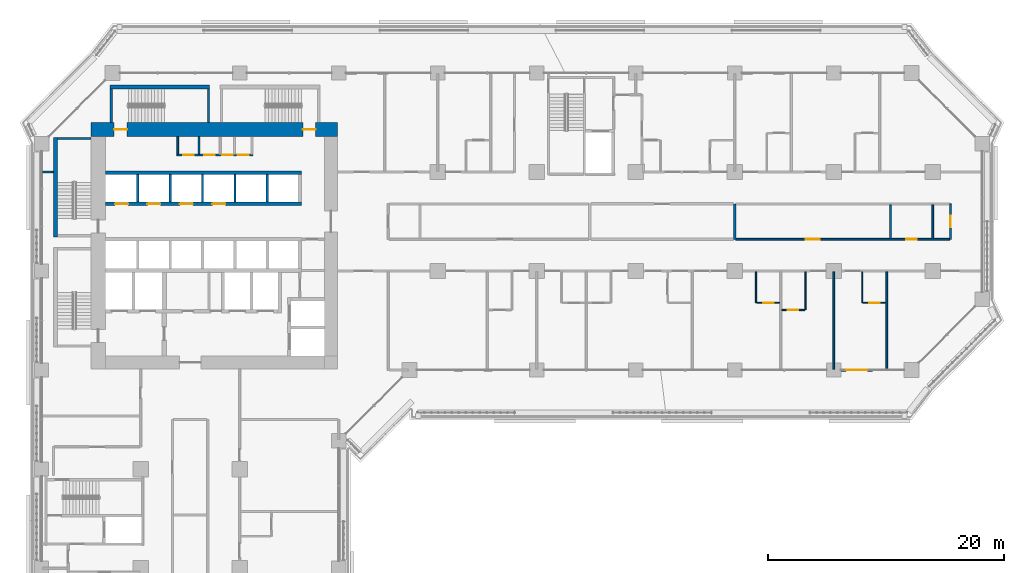
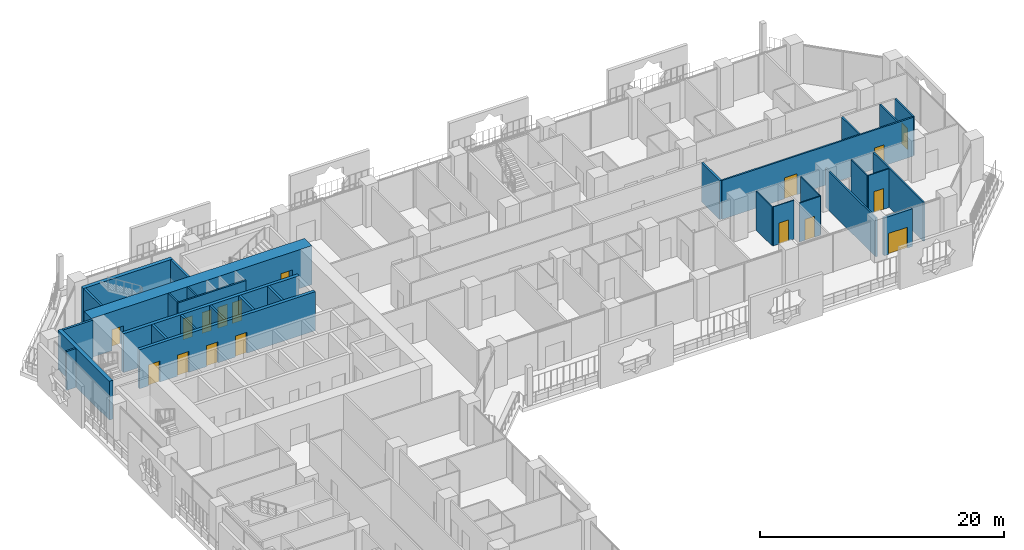
# One storey, part 17 of 28: 31 walls, 17 doors, 17 openings.
"""IFC4 building model written with IfcOpenShell, lengths in metres."""

from ifc_helpers import new_model, si_unit, direction, frame, frame_2d, origin, place, context, subcontext, project, spatial, rectangle, extrude, material, layer, layer_set, type_object, element, fill, save


model = new_model("IFC4")

# Units and contexts
model_context = context("Model", 3, precision=1e-05, world=origin(), true_north=direction((0.0, 1.0)))
body_context = subcontext(model_context, "Body", "Model", "MODEL_VIEW")
ifc_project = project(units=[si_unit("LENGTHUNIT", "METRE"), si_unit("AREAUNIT", "SQUARE_METRE"), si_unit("VOLUMEUNIT", "CUBIC_METRE"), si_unit("PLANEANGLEUNIT", "RADIAN"), si_unit("MASSUNIT", "GRAM", prefix="KILO")], contexts=[model_context])

# Site, building, storey
site_placement = place(None, origin())
site = spatial("IfcSite", under=ifc_project, at=site_placement, CompositionType="ELEMENT")
building_placement = place(site_placement, origin())
building = spatial("IfcBuilding", under=site, at=building_placement, Name="Kawkab Arch Medical Tower", CompositionType="ELEMENT")
storey_placement = place(building_placement, frame((0.0, 0.0, 72.800048828125)))
storey = spatial("IfcBuildingStorey", under=building, at=storey_placement, Name="L16", CompositionType="ELEMENT", Elevation=72.800048828125)

# Wall, openings, doors
ifc_material_1 = material(Name="Concrete C60/75", Category="concrete")
ifc_layer_1 = layer(ifc_material_1, 1.199951171875)
ifc_layer_set_1 = layer_set([ifc_layer_1], Name="Concrete C60/75")
wall_type_1 = type_object("IfcWallType", Name="Core ring wall 1200 C60/75", PredefinedType="SHEAR", material=ifc_layer_set_1)
wall_1_placement = place(storey_placement, frame((4.199951171875, -4.800048828125, 0.0), z_axis=(0.0, 0.0, 1.0), x_axis=(1.0, 0.0, 0.0)))
wall_1 = element("IfcWall", 1, at=wall_1_placement, inside=storey, type_object=wall_type_1, Name="L16 core wall", PredefinedType="SHEAR", context=body_context, shape_type="SweptSolid", body=[
    extrude(rectangle(XDim=20.900146484375, YDim=1.199951171875, at=frame_2d((10.4501953125, 0.0))), origin(), (0.0, 0.0, 1.0), 3.89990234375),
])
opening_1_placement = place(wall_1_placement, frame((1.949951171875, 0.0, 0.0)))
opening_1 = element("IfcOpeningElement", 2, at=opening_1_placement, cuts=wall_1, Name="Opening SD", PredefinedType="OPENING", context=body_context, shape_type="SweptSolid", body=[
    extrude(rectangle(XDim=1.10009765625, YDim=2.10009765625, at=frame_2d((0.550048828125, 1.050048828125))), frame((0.0, 0.60986328125, 0.0), z_axis=(0.0, -1.0, 0.0), x_axis=(1.0, 0.0, 0.0)), (0.0, 0.0, 1.0), 1.219970703125),
])
opening_2_placement = place(wall_1_placement, frame((17.949951171875, 0.0, 0.0)))
opening_2 = element("IfcOpeningElement", 3, at=opening_2_placement, cuts=wall_1, Name="Opening SD", PredefinedType="OPENING", context=body_context, shape_type="SweptSolid", body=[
    extrude(rectangle(XDim=1.10009765625, YDim=2.10009765625, at=frame_2d((0.550048828125, 1.050048828125))), frame((0.0, 0.60986328125, 0.0), z_axis=(0.0, -1.0, 0.0), x_axis=(1.0, 0.0, 0.0)), (0.0, 0.0, 1.0), 1.219970703125),
])
ifc_material_2 = material(Name="Hollow metal fire door leaf")
door_type_1 = type_object("IfcDoorType", Name="Exit stair door 1100", OperationType="SINGLE_SWING_LEFT", PredefinedType="DOOR", material=ifc_material_2)
door_1_placement = place(opening_1_placement, origin())
door_1 = element("IfcDoor", 4, at=door_1_placement, inside=storey, type_object=door_type_1, Name="L16 Exit stair ST3 door", OperationType="SINGLE_SWING_LEFT", OverallHeight=2.10009765625, OverallWidth=1.10009765625, PredefinedType="DOOR", context=body_context, shape_type="SweptSolid", body=[
    extrude(rectangle(XDim=1.10009765625, YDim=2.10009765625, at=frame_2d((0.550048828125, 1.050048828125))), frame((0.0, 0.02490234375, 0.0), z_axis=(0.0, -1.0, 0.0), x_axis=(1.0, 0.0, 0.0)), (0.0, 0.0, 1.0), 0.050048828125),
])
fill(opening_1, door_1)
door_2_placement = place(opening_2_placement, origin())
door_2 = element("IfcDoor", 5, at=door_2_placement, inside=storey, type_object=door_type_1, Name="L16 Exit stair ST4 door", OperationType="SINGLE_SWING_LEFT", OverallHeight=2.10009765625, OverallWidth=1.10009765625, PredefinedType="DOOR", context=body_context, shape_type="SweptSolid", body=[
    extrude(rectangle(XDim=1.10009765625, YDim=2.10009765625, at=frame_2d((0.550048828125, 1.050048828125))), frame((0.0, 0.02490234375, 0.0), z_axis=(0.0, -1.0, 0.0), x_axis=(1.0, 0.0, 0.0)), (0.0, 0.0, 1.0), 0.050048828125),
])
fill(opening_2, door_2)

ifc_material_3 = material(Name="Gypsum board on steel studs", Category="steel")
ifc_layer_2 = layer(ifc_material_3, 0.14990234375)
ifc_layer_set_2 = layer_set([ifc_layer_2], Name="Gypsum board on steel studs")
wall_type_2 = type_object("IfcWallType", Name="Core room partition 150", PredefinedType="PARTITIONING", material=ifc_layer_set_2)
wall_2_placement = place(storey_placement, frame((11.47509765625, -6.949951171875, 0.0), z_axis=(0.0, 0.0, 1.0), x_axis=(1.0, 0.0, 0.0)))
wall_2 = element("IfcWall", 6, at=wall_2_placement, inside=storey, type_object=wall_type_2, Name="L16 core room partition", PredefinedType="PARTITIONING", context=body_context, shape_type="SweptSolid", body=[
    extrude(rectangle(XDim=6.449951171875, YDim=0.14990234375, at=frame_2d((3.22509765625, 0.0))), origin(), (0.0, 0.0, 1.0), 3.89990234375),
])
opening_3_placement = place(wall_2_placement, frame((0.52490234375, 0.0, 0.0)))
opening_3 = element("IfcOpeningElement", 7, at=opening_3_placement, cuts=wall_2, Name="Opening RD", PredefinedType="OPENING", context=body_context, shape_type="SweptSolid", body=[
    extrude(rectangle(XDim=0.89990234375, YDim=2.10009765625, at=frame_2d((0.449951171875, 1.050048828125))), frame((0.0, 0.0849609375, 0.0), z_axis=(0.0, -1.0, 0.0), x_axis=(1.0, 0.0, 0.0)), (0.0, 0.0, 1.0), 0.169921875),
])
opening_4_placement = place(wall_2_placement, frame((2.324951171875, 0.0, 0.0)))
opening_4 = element("IfcOpeningElement", 8, at=opening_4_placement, cuts=wall_2, Name="Opening RD", PredefinedType="OPENING", context=body_context, shape_type="SweptSolid", body=[
    extrude(rectangle(XDim=0.89990234375, YDim=2.10009765625, at=frame_2d((0.449951171875, 1.050048828125))), frame((0.0, 0.0849609375, 0.0), z_axis=(0.0, -1.0, 0.0), x_axis=(1.0, 0.0, 0.0)), (0.0, 0.0, 1.0), 0.169921875),
])
opening_5_placement = place(wall_2_placement, frame((3.824951171875, 0.0, 0.0)))
opening_5 = element("IfcOpeningElement", 9, at=opening_5_placement, cuts=wall_2, Name="Opening RD", PredefinedType="OPENING", context=body_context, shape_type="SweptSolid", body=[
    extrude(rectangle(XDim=0.89990234375, YDim=2.10009765625, at=frame_2d((0.449951171875, 1.050048828125))), frame((0.0, 0.0849609375, 0.0), z_axis=(0.0, -1.0, 0.0), x_axis=(1.0, 0.0, 0.0)), (0.0, 0.0, 1.0), 0.169921875),
])
opening_6_placement = place(wall_2_placement, frame((5.175048828125, 0.0, 0.0)))
opening_6 = element("IfcOpeningElement", 10, at=opening_6_placement, cuts=wall_2, Name="Opening RD", PredefinedType="OPENING", context=body_context, shape_type="SweptSolid", body=[
    extrude(rectangle(XDim=0.89990234375, YDim=2.10009765625, at=frame_2d((0.449951171875, 1.050048828125))), frame((0.0, 0.0849609375, 0.0), z_axis=(0.0, -1.0, 0.0), x_axis=(1.0, 0.0, 0.0)), (0.0, 0.0, 1.0), 0.169921875),
])
ifc_material_4 = material(Name="Hollow metal fire door leaf")
door_type_2 = type_object("IfcDoorType", Name="Core room door 900", OperationType="SINGLE_SWING_LEFT", PredefinedType="DOOR", material=ifc_material_4)
door_3_placement = place(opening_3_placement, origin())
door_3 = element("IfcDoor", 11, at=door_3_placement, inside=storey, type_object=door_type_2, Name="L16 Linen store door", OperationType="SINGLE_SWING_LEFT", OverallHeight=2.10009765625, OverallWidth=0.89990234375, PredefinedType="DOOR", context=body_context, shape_type="SweptSolid", body=[
    extrude(rectangle(XDim=0.89990234375, YDim=2.10009765625, at=frame_2d((0.449951171875, 1.050048828125))), frame((0.0, 0.02490234375, 0.0), z_axis=(0.0, -1.0, 0.0), x_axis=(1.0, 0.0, 0.0)), (0.0, 0.0, 1.0), 0.050048828125),
])
fill(opening_3, door_3)
door_4_placement = place(opening_4_placement, origin())
door_4 = element("IfcDoor", 12, at=door_4_placement, inside=storey, type_object=door_type_2, Name="L16 Comms room door", OperationType="SINGLE_SWING_LEFT", OverallHeight=2.10009765625, OverallWidth=0.89990234375, PredefinedType="DOOR", context=body_context, shape_type="SweptSolid", body=[
    extrude(rectangle(XDim=0.89990234375, YDim=2.10009765625, at=frame_2d((0.449951171875, 1.050048828125))), frame((0.0, 0.02490234375, 0.0), z_axis=(0.0, -1.0, 0.0), x_axis=(1.0, 0.0, 0.0)), (0.0, 0.0, 1.0), 0.050048828125),
])
fill(opening_4, door_4)
door_5_placement = place(opening_5_placement, origin())
door_5 = element("IfcDoor", 13, at=door_5_placement, inside=storey, type_object=door_type_2, Name="L16 Electrical riser room door", OperationType="SINGLE_SWING_LEFT", OverallHeight=2.10009765625, OverallWidth=0.89990234375, PredefinedType="DOOR", context=body_context, shape_type="SweptSolid", body=[
    extrude(rectangle(XDim=0.89990234375, YDim=2.10009765625, at=frame_2d((0.449951171875, 1.050048828125))), frame((0.0, 0.02490234375, 0.0), z_axis=(0.0, -1.0, 0.0), x_axis=(1.0, 0.0, 0.0)), (0.0, 0.0, 1.0), 0.050048828125),
])
fill(opening_5, door_5)
door_6_placement = place(opening_6_placement, origin())
door_6 = element("IfcDoor", 14, at=door_6_placement, inside=storey, type_object=door_type_2, Name="L16 Ward pantry door", OperationType="SINGLE_SWING_LEFT", OverallHeight=2.10009765625, OverallWidth=0.89990234375, PredefinedType="DOOR", context=body_context, shape_type="SweptSolid", body=[
    extrude(rectangle(XDim=0.89990234375, YDim=2.10009765625, at=frame_2d((0.449951171875, 1.050048828125))), frame((0.0, 0.02490234375, 0.0), z_axis=(0.0, -1.0, 0.0), x_axis=(1.0, 0.0, 0.0)), (0.0, 0.0, 1.0), 0.050048828125),
])
fill(opening_6, door_6)

# Walls
for number, where, z_axis, x_axis, name in (
    (15, (11.550048828125, -6.875, 0.0), (0.0, 0.0, 1.0), (0.0, 1.0, 0.0), "L16 core room partition"),
    (16, (13.35009765625, -6.875, 0.0), (0.0, 0.0, 1.0), (0.0, 1.0, 0.0), "L16 core room partition"),
):
    element("IfcWall", number, at=place(storey_placement, frame(where, z_axis=z_axis, x_axis=x_axis)), inside=storey, type_object=wall_type_2, Name=name, PredefinedType="PARTITIONING", context=body_context, shape_type="SweptSolid", body=[
        extrude(rectangle(XDim=1.47509765625, YDim=0.14990234375, at=frame_2d((0.737548828125, 0.0))), origin(), (0.0, 0.0, 1.0), 3.89990234375),
    ])
ifc_material_5 = material(Name="Concrete C60/75", Category="concrete")
ifc_layer_3 = layer(ifc_material_5, 0.300048828125)
ifc_layer_set_3 = layer_set([ifc_layer_3], Name="Concrete C60/75")
wall_type_3 = type_object("IfcWallType", Name="Core shear wall 300 C60/75", PredefinedType="SHEAR", material=ifc_layer_set_3)
wall_3_placement = place(storey_placement, frame((5.39990234375, -8.449951171875, 0.0), z_axis=(0.0, 0.0, 1.0), x_axis=(1.0, 0.0, 0.0)))
element("IfcWall", 17, at=wall_3_placement, inside=storey, type_object=wall_type_3, Name="L16 core shear wall", PredefinedType="SHEAR", context=body_context, shape_type="SweptSolid", body=[
    extrude(rectangle(XDim=16.650146484375, YDim=0.300048828125, at=frame_2d((8.3251953125, 0.0))), origin(), (0.0, 0.0, 1.0), 3.89990234375),
])

# Wall, openings, doors
wall_4_placement = place(storey_placement, frame((5.39990234375, -11.10009765625, 0.0), z_axis=(0.0, 0.0, 1.0), x_axis=(1.0, 0.0, 0.0)))
wall_4 = element("IfcWall", 18, at=wall_4_placement, inside=storey, type_object=wall_type_3, Name="L16 core shear wall", PredefinedType="SHEAR", context=body_context, shape_type="SweptSolid", body=[
    extrude(rectangle(XDim=16.650146484375, YDim=0.300048828125, at=frame_2d((8.3251953125, 0.0))), origin(), (0.0, 0.0, 1.0), 3.89990234375),
])
opening_7_placement = place(wall_4_placement, frame((0.824951171875, 0.0, 0.0)))
opening_7 = element("IfcOpeningElement", 19, at=opening_7_placement, cuts=wall_4, Name="Opening LD1", PredefinedType="OPENING", context=body_context, shape_type="SweptSolid", body=[
    extrude(rectangle(XDim=1.10009765625, YDim=2.10009765625, at=frame_2d((0.550048828125, 1.050048828125))), frame((0.0, 0.159912109375, 0.0), z_axis=(0.0, -1.0, 0.0), x_axis=(1.0, 0.0, 0.0)), (0.0, 0.0, 1.0), 0.320068359375),
])
opening_8_placement = place(wall_4_placement, frame((3.574951171875, 0.0, 0.0)))
opening_8 = element("IfcOpeningElement", 20, at=opening_8_placement, cuts=wall_4, Name="Opening LD1", PredefinedType="OPENING", context=body_context, shape_type="SweptSolid", body=[
    extrude(rectangle(XDim=1.10009765625, YDim=2.10009765625, at=frame_2d((0.550048828125, 1.050048828125))), frame((0.0, 0.159912109375, 0.0), z_axis=(0.0, -1.0, 0.0), x_axis=(1.0, 0.0, 0.0)), (0.0, 0.0, 1.0), 0.320068359375),
])
opening_9_placement = place(wall_4_placement, frame((6.324951171875, 0.0, 0.0)))
opening_9 = element("IfcOpeningElement", 21, at=opening_9_placement, cuts=wall_4, Name="Opening LD1", PredefinedType="OPENING", context=body_context, shape_type="SweptSolid", body=[
    extrude(rectangle(XDim=1.10009765625, YDim=2.10009765625, at=frame_2d((0.550048828125, 1.050048828125))), frame((0.0, 0.159912109375, 0.0), z_axis=(0.0, -1.0, 0.0), x_axis=(1.0, 0.0, 0.0)), (0.0, 0.0, 1.0), 0.320068359375),
])
opening_10_placement = place(wall_4_placement, frame((9.074951171875, 0.0, 0.0)))
opening_10 = element("IfcOpeningElement", 22, at=opening_10_placement, cuts=wall_4, Name="Opening LD1", PredefinedType="OPENING", context=body_context, shape_type="SweptSolid", body=[
    extrude(rectangle(XDim=1.10009765625, YDim=2.10009765625, at=frame_2d((0.550048828125, 1.050048828125))), frame((0.0, 0.159912109375, 0.0), z_axis=(0.0, -1.0, 0.0), x_axis=(1.0, 0.0, 0.0)), (0.0, 0.0, 1.0), 0.320068359375),
])
ifc_material_6 = material(Name="Stainless steel lift door leaf", Category="steel")
door_type_3 = type_object("IfcDoorType", Name="Lift landing door 1100", OperationType="DOUBLE_DOOR_SLIDING", PredefinedType="DOOR", material=ifc_material_6)
door_7_placement = place(opening_7_placement, origin())
door_7 = element("IfcDoor", 23, at=door_7_placement, inside=storey, type_object=door_type_3, Name="L16 Lift landing door LP1", OperationType="DOUBLE_DOOR_SLIDING", OverallHeight=2.10009765625, OverallWidth=1.10009765625, PredefinedType="DOOR", context=body_context, shape_type="SweptSolid", body=[
    extrude(rectangle(XDim=1.10009765625, YDim=2.10009765625, at=frame_2d((0.550048828125, 1.050048828125))), frame((0.0, 0.02490234375, 0.0), z_axis=(0.0, -1.0, 0.0), x_axis=(1.0, 0.0, 0.0)), (0.0, 0.0, 1.0), 0.050048828125),
])
fill(opening_7, door_7)
door_8_placement = place(opening_8_placement, origin())
door_8 = element("IfcDoor", 24, at=door_8_placement, inside=storey, type_object=door_type_3, Name="L16 Lift landing door LP2", OperationType="DOUBLE_DOOR_SLIDING", OverallHeight=2.10009765625, OverallWidth=1.10009765625, PredefinedType="DOOR", context=body_context, shape_type="SweptSolid", body=[
    extrude(rectangle(XDim=1.10009765625, YDim=2.10009765625, at=frame_2d((0.550048828125, 1.050048828125))), frame((0.0, 0.02490234375, 0.0), z_axis=(0.0, -1.0, 0.0), x_axis=(1.0, 0.0, 0.0)), (0.0, 0.0, 1.0), 0.050048828125),
])
fill(opening_8, door_8)
door_9_placement = place(opening_9_placement, origin())
door_9 = element("IfcDoor", 25, at=door_9_placement, inside=storey, type_object=door_type_3, Name="L16 Lift landing door LP3", OperationType="DOUBLE_DOOR_SLIDING", OverallHeight=2.10009765625, OverallWidth=1.10009765625, PredefinedType="DOOR", context=body_context, shape_type="SweptSolid", body=[
    extrude(rectangle(XDim=1.10009765625, YDim=2.10009765625, at=frame_2d((0.550048828125, 1.050048828125))), frame((0.0, 0.02490234375, 0.0), z_axis=(0.0, -1.0, 0.0), x_axis=(1.0, 0.0, 0.0)), (0.0, 0.0, 1.0), 0.050048828125),
])
fill(opening_9, door_9)
door_10_placement = place(opening_10_placement, origin())
door_10 = element("IfcDoor", 26, at=door_10_placement, inside=storey, type_object=door_type_3, Name="L16 Lift landing door LP4", OperationType="DOUBLE_DOOR_SLIDING", OverallHeight=2.10009765625, OverallWidth=1.10009765625, PredefinedType="DOOR", context=body_context, shape_type="SweptSolid", body=[
    extrude(rectangle(XDim=1.10009765625, YDim=2.10009765625, at=frame_2d((0.550048828125, 1.050048828125))), frame((0.0, 0.02490234375, 0.0), z_axis=(0.0, -1.0, 0.0), x_axis=(1.0, 0.0, 0.0)), (0.0, 0.0, 1.0), 0.050048828125),
])
fill(opening_10, door_10)

# Wall, opening, door
ifc_material_7 = material(Name="Bronze clad insulated wall panel")
ifc_layer_4 = layer(ifc_material_7, 0.25)
ifc_layer_set_4 = layer_set([ifc_layer_4], Name="Bronze clad insulated wall panel")
wall_type_4 = type_object("IfcWallType", Name="External wall bay 250", PredefinedType="SOLIDWALL", material=ifc_layer_set_4)
wall_5_placement = place(storey_placement, frame((67.800048828125, -25.199951171875, 0.0), z_axis=(0.0, 0.0, 1.0), x_axis=(1.0, 0.0, 0.0)))
wall_5 = element("IfcWall", 27, at=wall_5_placement, inside=storey, type_object=wall_type_4, Name="External wall bay L16.R07.5.1", PredefinedType="SOLIDWALL", context=body_context, shape_type="SweptSolid", body=[
    extrude(rectangle(XDim=2.6875, YDim=0.25, at=frame_2d((1.34375, 0.0))), origin(), (0.0, 0.0, 1.0), 3.780029296875),
])
opening_11_placement = place(wall_5_placement, frame((0.443603515625, 0.0, 0.0)))
opening_11 = element("IfcOpeningElement", 28, at=opening_11_placement, cuts=wall_5, Name="Opening W11-701", PredefinedType="OPENING", context=body_context, shape_type="SweptSolid", body=[
    extrude(rectangle(XDim=1.800048828125, YDim=2.10009765625, at=frame_2d((0.89990234375, 1.050048828125))), frame((0.0, 0.135009765625, 0.0), z_axis=(0.0, -1.0, 0.0), x_axis=(1.0, 0.0, 0.0)), (0.0, 0.0, 1.0), 0.27001953125),
])
ifc_material_8 = material(Name="Bronze anodised aluminium door with tinted glass", Category="aluminium")
door_type_4 = type_object("IfcDoorType", Name="Double external door 1800 x 2100", OperationType="DOUBLE_DOOR_SINGLE_SWING", PredefinedType="DOOR", material=ifc_material_8)
door_11_placement = place(opening_11_placement, origin())
door_11 = element("IfcDoor", 29, at=door_11_placement, inside=storey, type_object=door_type_4, Name="External door L16.R07.5.1", OperationType="DOUBLE_DOOR_SINGLE_SWING", OverallHeight=2.10009765625, OverallWidth=1.800048828125, PredefinedType="DOOR", context=body_context, shape_type="SweptSolid", body=[
    extrude(rectangle(XDim=1.800048828125, YDim=2.10009765625, at=frame_2d((0.89990234375, 1.050048828125))), frame((0.0, 0.02490234375, 0.0), z_axis=(0.0, -1.0, 0.0), x_axis=(1.0, 0.0, 0.0)), (0.0, 0.0, 1.0), 0.050048828125),
])
fill(opening_11, door_11)

# Walls
ifc_material_9 = material(Name="Dense concrete blockwork", Category="masonry")
ifc_layer_5 = layer(ifc_material_9, 0.199951171875)
ifc_layer_set_5 = layer_set([ifc_layer_5], Name="Dense concrete blockwork")
wall_type_5 = type_object("IfcWallType", Name="Lift shaft partition 200", PredefinedType="PARTITIONING", material=ifc_layer_set_5)
for number, where, z_axis, x_axis, name in (
    (30, (8.14990234375, -10.949951171875, 0.0), (0.0, 0.0, 1.0), (0.0, 1.0, 0.0), "L16 lift shaft partition"),
    (31, (10.89990234375, -10.949951171875, 0.0), (0.0, 0.0, 1.0), (0.0, 1.0, 0.0), "L16 lift shaft partition"),
    (32, (13.64990234375, -10.949951171875, 0.0), (0.0, 0.0, 1.0), (0.0, 1.0, 0.0), "L16 lift shaft partition"),
    (33, (16.39990234375, -10.949951171875, 0.0), (0.0, 0.0, 1.0), (0.0, 1.0, 0.0), "L16 lift shaft partition"),
    (34, (19.14990234375, -10.949951171875, 0.0), (0.0, 0.0, 1.0), (0.0, 1.0, 0.0), "L16 lift shaft partition"),
):
    element("IfcWall", number, at=place(storey_placement, frame(where, z_axis=z_axis, x_axis=x_axis)), inside=storey, type_object=wall_type_5, Name=name, PredefinedType="PARTITIONING", context=body_context, shape_type="SweptSolid", body=[
        extrude(rectangle(XDim=2.349853515625, YDim=0.199951171875, at=frame_2d((1.1748046875, 0.0))), origin(), (0.0, 0.0, 1.0), 3.89990234375),
    ])

# Wall, opening, door
ifc_material_10 = material(Name="Gypsum board partition on steel studs", Category="steel")
ifc_layer_6 = layer(ifc_material_10, 0.10009765625)
ifc_layer_set_6 = layer_set([ifc_layer_6], Name="Gypsum board partition on steel studs")
wall_type_6 = type_object("IfcWallType", Name="Partition 100", PredefinedType="PARTITIONING", material=ifc_layer_set_6)
wall_6_placement = place(storey_placement, frame((62.77490234375, -20.10009765625, 0.0), z_axis=(0.0, 0.0, 1.0), x_axis=(1.0, 0.0, 0.0)))
wall_6 = element("IfcWall", 35, at=wall_6_placement, inside=storey, type_object=wall_type_6, Name="Partition 100 w011", PredefinedType="PARTITIONING", context=body_context, shape_type="SweptSolid", body=[
    extrude(rectangle(XDim=1.97509765625, YDim=0.10009765625, at=frame_2d((0.987548828125, 0.0))), origin(), (0.0, 0.0, 1.0), 3.89990234375),
])
opening_12_placement = place(wall_6_placement, frame((0.52490234375, 0.0, 0.0)))
opening_12 = element("IfcOpeningElement", 36, at=opening_12_placement, cuts=wall_6, Name="Opening W11-015", PredefinedType="OPENING", context=body_context, shape_type="SweptSolid", body=[
    extrude(rectangle(XDim=0.89990234375, YDim=2.10009765625, at=frame_2d((0.449951171875, 1.050048828125))), frame((0.0, 0.06005859375, 0.0), z_axis=(0.0, -1.0, 0.0), x_axis=(1.0, 0.0, 0.0)), (0.0, 0.0, 1.0), 0.1201171875),
])
ifc_material_11 = material(Name="Timber door leaf", Category="wood")
door_type_5 = type_object("IfcDoorType", Name="Single door 900x2100", OperationType="NOTDEFINED", PredefinedType="DOOR", material=ifc_material_11)
door_12_placement = place(opening_12_placement, origin())
door_12 = element("IfcDoor", 37, at=door_12_placement, inside=storey, type_object=door_type_5, Name="Door W11-015", OperationType="SINGLE_SWING_LEFT", OverallHeight=2.10009765625, OverallWidth=0.89990234375, PredefinedType="DOOR", context=body_context, shape_type="SweptSolid", body=[
    extrude(rectangle(XDim=0.89990234375, YDim=2.10009765625, at=frame_2d((0.449951171875, 1.050048828125))), frame((0.0, 0.02490234375, 0.0), z_axis=(0.0, -1.0, 0.0), x_axis=(1.0, 0.0, 0.0)), (0.0, 0.0, 1.0), 0.050048828125),
])
fill(opening_12, door_12)

wall_7_placement = place(storey_placement, frame((60.652099609375, -19.5, 0.0), z_axis=(0.0, 0.0, 1.0), x_axis=(1.0, 0.0, 0.0)))
wall_7 = element("IfcWall", 38, at=wall_7_placement, inside=storey, type_object=wall_type_6, Name="Partition 100 w014", PredefinedType="PARTITIONING", context=body_context, shape_type="SweptSolid", body=[
    extrude(rectangle(XDim=1.972900390625, YDim=0.10009765625, at=frame_2d((0.986328125, 0.0))), origin(), (0.0, 0.0, 1.0), 3.89990234375),
])
opening_13_placement = place(wall_7_placement, frame((0.549072265625, 0.0, 0.0)))
opening_13 = element("IfcOpeningElement", 39, at=opening_13_placement, cuts=wall_7, Name="Opening W11-014", PredefinedType="OPENING", context=body_context, shape_type="SweptSolid", body=[
    extrude(rectangle(XDim=0.89990234375, YDim=2.10009765625, at=frame_2d((0.449951171875, 1.050048828125))), frame((0.0, 0.06005859375, 0.0), z_axis=(0.0, -1.0, 0.0), x_axis=(1.0, 0.0, 0.0)), (0.0, 0.0, 1.0), 0.1201171875),
])
door_13_placement = place(opening_13_placement, origin())
door_13 = element("IfcDoor", 40, at=door_13_placement, inside=storey, type_object=door_type_5, Name="Door W11-014", OperationType="SINGLE_SWING_LEFT", OverallHeight=2.10009765625, OverallWidth=0.89990234375, PredefinedType="DOOR", context=body_context, shape_type="SweptSolid", body=[
    extrude(rectangle(XDim=0.89990234375, YDim=2.10009765625, at=frame_2d((0.449951171875, 1.050048828125))), frame((0.0, 0.02490234375, 0.0), z_axis=(0.0, -1.0, 0.0), x_axis=(1.0, 0.0, 0.0)), (0.0, 0.0, 1.0), 0.050048828125),
])
fill(opening_13, door_13)

wall_8_placement = place(storey_placement, frame((69.64990234375, -19.5, 0.0), z_axis=(0.0, 0.0, 1.0), x_axis=(1.0, 0.0, 0.0)))
wall_8 = element("IfcWall", 41, at=wall_8_placement, inside=storey, type_object=wall_type_6, Name="Partition 100 w015", PredefinedType="PARTITIONING", context=body_context, shape_type="SweptSolid", body=[
    extrude(rectangle(XDim=1.97509765625, YDim=0.10009765625, at=frame_2d((0.987548828125, 0.0))), origin(), (0.0, 0.0, 1.0), 3.89990234375),
])
opening_14_placement = place(wall_8_placement, frame((0.550048828125, 0.0, 0.0)))
opening_14 = element("IfcOpeningElement", 42, at=opening_14_placement, cuts=wall_8, Name="Opening W11-016", PredefinedType="OPENING", context=body_context, shape_type="SweptSolid", body=[
    extrude(rectangle(XDim=0.89990234375, YDim=2.10009765625, at=frame_2d((0.449951171875, 1.050048828125))), frame((0.0, 0.06005859375, 0.0), z_axis=(0.0, -1.0, 0.0), x_axis=(1.0, 0.0, 0.0)), (0.0, 0.0, 1.0), 0.1201171875),
])
door_14_placement = place(opening_14_placement, origin())
door_14 = element("IfcDoor", 43, at=door_14_placement, inside=storey, type_object=door_type_5, Name="Door W11-016", OperationType="SINGLE_SWING_LEFT", OverallHeight=2.10009765625, OverallWidth=0.89990234375, PredefinedType="DOOR", context=body_context, shape_type="SweptSolid", body=[
    extrude(rectangle(XDim=0.89990234375, YDim=2.10009765625, at=frame_2d((0.449951171875, 1.050048828125))), frame((0.0, 0.02490234375, 0.0), z_axis=(0.0, -1.0, 0.0), x_axis=(1.0, 0.0, 0.0)), (0.0, 0.0, 1.0), 0.050048828125),
])
fill(opening_14, door_14)

# Walls
wall_9_placement = place(storey_placement, frame((60.60009765625, -19.4990234375, 0.0), z_axis=(0.0, 0.0, 1.0), x_axis=(0.0, 1.0, 0.0)))
element("IfcWall", 44, at=wall_9_placement, inside=storey, type_object=wall_type_6, Name="Partition 100 w034", PredefinedType="PARTITIONING", context=body_context, shape_type="SweptSolid", body=[
    extrude(rectangle(XDim=2.6240234375, YDim=0.10009765625, at=frame_2d((1.31201171875, 0.0))), origin(), (0.0, 0.0, 1.0), 3.89990234375),
])
wall_10_placement = place(storey_placement, frame((64.800048828125, -20.10009765625, 0.0), z_axis=(0.0, 0.0, 1.0), x_axis=(0.0, 1.0, 0.0)))
element("IfcWall", 45, at=wall_10_placement, inside=storey, type_object=wall_type_6, Name="Partition 100 w036", PredefinedType="PARTITIONING", context=body_context, shape_type="SweptSolid", body=[
    extrude(rectangle(XDim=3.22509765625, YDim=0.10009765625, at=frame_2d((1.612548828125, 0.0))), origin(), (0.0, 0.0, 1.0), 3.89990234375),
])
wall_11_placement = place(storey_placement, frame((69.60009765625, -19.5, 0.0), z_axis=(0.0, 0.0, 1.0), x_axis=(0.0, 1.0, 0.0)))
element("IfcWall", 46, at=wall_11_placement, inside=storey, type_object=wall_type_6, Name="Partition 100 w038", PredefinedType="PARTITIONING", context=body_context, shape_type="SweptSolid", body=[
    extrude(rectangle(XDim=2.625, YDim=0.10009765625, at=frame_2d((1.3125, 0.0))), origin(), (0.0, 0.0, 1.0), 3.89990234375),
])

# Wall, openings, doors
ifc_material_12 = material(Name="Gypsum board partition on steel studs, mineral wool", Category="steel")
ifc_layer_7 = layer(ifc_material_12, 0.14990234375)
ifc_layer_set_7 = layer_set([ifc_layer_7], Name="Gypsum board partition on steel studs, mineral wool")
wall_type_7 = type_object("IfcWallType", Name="Partition 150", PredefinedType="PARTITIONING", material=ifc_layer_set_7)
wall_12_placement = place(storey_placement, frame((58.89990234375, -14.10009765625, 0.0), z_axis=(0.0, 0.0, 1.0), x_axis=(1.0, 0.0, 0.0)))
wall_12 = element("IfcWall", 47, at=wall_12_placement, inside=storey, type_object=wall_type_7, Name="Partition 150 w064", PredefinedType="PARTITIONING", context=body_context, shape_type="SweptSolid", body=[
    extrude(rectangle(XDim=18.125, YDim=0.14990234375, at=frame_2d((9.0625, 0.0))), origin(), (0.0, 0.0, 1.0), 3.89990234375),
])
opening_15_placement = place(wall_12_placement, frame((5.89990234375, 0.0, 0.0)))
opening_15 = element("IfcOpeningElement", 48, at=opening_15_placement, cuts=wall_12, Name="Opening W11-052", PredefinedType="OPENING", context=body_context, shape_type="SweptSolid", body=[
    extrude(rectangle(XDim=1.199951171875, YDim=2.10009765625, at=frame_2d((0.60009765625, 1.050048828125))), frame((0.0, 0.0849609375, 0.0), z_axis=(0.0, -1.0, 0.0), x_axis=(1.0, 0.0, 0.0)), (0.0, 0.0, 1.0), 0.169921875),
])
opening_16_placement = place(wall_12_placement, frame((14.449951171875, 0.0, 0.0)))
opening_16 = element("IfcOpeningElement", 49, at=opening_16_placement, cuts=wall_12, Name="Opening W11-010", PredefinedType="OPENING", context=body_context, shape_type="SweptSolid", body=[
    extrude(rectangle(XDim=0.89990234375, YDim=2.10009765625, at=frame_2d((0.449951171875, 1.050048828125))), frame((0.0, 0.0849609375, 0.0), z_axis=(0.0, -1.0, 0.0), x_axis=(1.0, 0.0, 0.0)), (0.0, 0.0, 1.0), 0.169921875),
])
ifc_material_13 = material(Name="Hollow metal door leaf")
door_type_6 = type_object("IfcDoorType", Name="Single door 1200x2100 FD30S", OperationType="NOTDEFINED", PredefinedType="DOOR", material=ifc_material_13)
door_15_placement = place(opening_15_placement, origin())
door_15 = element("IfcDoor", 50, at=door_15_placement, inside=storey, type_object=door_type_6, Name="Door W11-052", OperationType="SINGLE_SWING_LEFT", OverallHeight=2.10009765625, OverallWidth=1.199951171875, PredefinedType="DOOR", context=body_context, shape_type="SweptSolid", body=[
    extrude(rectangle(XDim=1.199951171875, YDim=2.10009765625, at=frame_2d((0.60009765625, 1.050048828125))), frame((0.0, 0.02490234375, 0.0), z_axis=(0.0, -1.0, 0.0), x_axis=(1.0, 0.0, 0.0)), (0.0, 0.0, 1.0), 0.050048828125),
])
fill(opening_15, door_15)
door_16_placement = place(opening_16_placement, origin())
door_16 = element("IfcDoor", 51, at=door_16_placement, inside=storey, type_object=door_type_5, Name="Door W11-010", OperationType="SINGLE_SWING_RIGHT", OverallHeight=2.10009765625, OverallWidth=0.89990234375, PredefinedType="DOOR", context=body_context, shape_type="SweptSolid", body=[
    extrude(rectangle(XDim=0.89990234375, YDim=2.10009765625, at=frame_2d((0.449951171875, 1.050048828125))), frame((0.0, 0.02490234375, 0.0), z_axis=(0.0, -1.0, 0.0), x_axis=(1.0, 0.0, 0.0)), (0.0, 0.0, 1.0), 0.050048828125),
])
fill(opening_16, door_16)

# Walls
wall_13_placement = place(storey_placement, frame((0.080078125, -8.39990234375, 0.0), z_axis=(0.0, 0.0, 1.0), x_axis=(1.0, 0.0, 0.0)))
element("IfcWall", 52, at=wall_13_placement, inside=storey, type_object=wall_type_7, Name="Partition 150 w067", PredefinedType="PARTITIONING", context=body_context, shape_type="SweptSolid", body=[
    extrude(rectangle(XDim=0.889892578125, YDim=0.14990234375, at=frame_2d((0.44482421875, 0.0))), origin(), (0.0, 0.0, 1.0), 3.89990234375),
])
for number, where, z_axis, x_axis, name in (
    (53, (67.199951171875, -25.1201171875, 0.0), (0.0, 0.0, 1.0), (0.0, 1.0, 0.0), "Partition 150 w098"),
    (54, (71.699951171875, -25.1201171875, 0.0), (0.0, 0.0, 1.0), (0.0, 1.0, 0.0), "Partition 150 w100"),
):
    element("IfcWall", number, at=place(storey_placement, frame(where, z_axis=z_axis, x_axis=x_axis)), inside=storey, type_object=wall_type_7, Name=name, PredefinedType="PARTITIONING", context=body_context, shape_type="SweptSolid", body=[
        extrude(rectangle(XDim=8.2451171875, YDim=0.14990234375, at=frame_2d((4.12255859375, 0.0))), origin(), (0.0, 0.0, 1.0), 3.89990234375),
    ])
for number, where, z_axis, x_axis, name in (
    (55, (72.0, -14.02490234375, 0.0), (0.0, 0.0, 1.0), (0.0, 1.0, 0.0), "Partition 150 w101"),
    (56, (75.60009765625, -14.02490234375, 0.0), (0.0, 0.0, 1.0), (0.0, 1.0, 0.0), "Partition 150 w102"),
):
    element("IfcWall", number, at=place(storey_placement, frame(where, z_axis=z_axis, x_axis=x_axis)), inside=storey, type_object=wall_type_7, Name=name, PredefinedType="PARTITIONING", context=body_context, shape_type="SweptSolid", body=[
        extrude(rectangle(XDim=2.849853515625, YDim=0.14990234375, at=frame_2d((1.4248046875, 0.0))), origin(), (0.0, 0.0, 1.0), 3.89990234375),
    ])

# Wall, opening, door
wall_14_placement = place(storey_placement, frame((77.10009765625, -14.10009765625, 0.0), z_axis=(0.0, 0.0, 1.0), x_axis=(0.0, 1.0, 0.0)))
wall_14 = element("IfcWall", 57, at=wall_14_placement, inside=storey, type_object=wall_type_7, Name="Partition 150 w103", PredefinedType="PARTITIONING", context=body_context, shape_type="SweptSolid", body=[
    extrude(rectangle(XDim=3.0, YDim=0.14990234375, at=frame_2d((1.5, 0.0))), origin(), (0.0, 0.0, 1.0), 3.89990234375),
])
opening_17_placement = place(wall_14_placement, frame((1.0, 0.0, 0.0)))
opening_17 = element("IfcOpeningElement", 58, at=opening_17_placement, cuts=wall_14, Name="Opening W11-032", PredefinedType="OPENING", context=body_context, shape_type="SweptSolid", body=[
    extrude(rectangle(XDim=1.0, YDim=2.10009765625, at=frame_2d((0.5, 1.050048828125))), frame((0.0, 0.0849609375, 0.0), z_axis=(0.0, -1.0, 0.0), x_axis=(1.0, 0.0, 0.0)), (0.0, 0.0, 1.0), 0.169921875),
])
ifc_material_14 = material(Name="Hollow metal door leaf")
door_type_7 = type_object("IfcDoorType", Name="Single door 1000x2100 FD30S", OperationType="NOTDEFINED", PredefinedType="DOOR", material=ifc_material_14)
door_17_placement = place(opening_17_placement, origin())
door_17 = element("IfcDoor", 59, at=door_17_placement, inside=storey, type_object=door_type_7, Name="Door W11-032", OperationType="SINGLE_SWING_LEFT", OverallHeight=2.10009765625, OverallWidth=1.0, PredefinedType="DOOR", context=body_context, shape_type="SweptSolid", body=[
    extrude(rectangle(XDim=1.0, YDim=2.10009765625, at=frame_2d((0.5, 1.050048828125))), frame((0.0, 0.02490234375, 0.0), z_axis=(0.0, -1.0, 0.0), x_axis=(1.0, 0.0, 0.0)), (0.0, 0.0, 1.0), 0.050048828125),
])
fill(opening_17, door_17)

# Walls
ifc_material_15 = material(Name="Fire-rated gypsum board partition on steel studs", Category="steel")
ifc_layer_8 = layer(ifc_material_15, 0.199951171875)
ifc_layer_set_8 = layer_set([ifc_layer_8], Name="Fire-rated gypsum board partition on steel studs")
wall_type_8 = type_object("IfcWallType", Name="Protected partition 200", PredefinedType="PARTITIONING", material=ifc_layer_set_8)
wall_15_placement = place(storey_placement, frame((58.800048828125, -14.10009765625, 0.0), z_axis=(0.0, 0.0, 1.0), x_axis=(0.0, 1.0, 0.0)))
element("IfcWall", 60, at=wall_15_placement, inside=storey, type_object=wall_type_8, Name="Protected partition 200 w107", PredefinedType="PARTITIONING", context=body_context, shape_type="SweptSolid", body=[
    extrude(rectangle(XDim=3.0, YDim=0.199951171875, at=frame_2d((1.5, 0.0))), origin(), (0.0, 0.0, 1.0), 3.89990234375),
])
ifc_material_16 = material(Name="Concrete C50/60", Category="concrete")
ifc_layer_9 = layer(ifc_material_16, 0.199951171875)
ifc_layer_set_9 = layer_set([ifc_layer_9], Name="Concrete C50/60")
wall_type_9 = type_object("IfcWallType", Name="Stair enclosure wall 200 C50/60", PredefinedType="SHEAR", material=ifc_layer_set_9)
for number, where, z_axis, x_axis, name in (
    (61, (1.35009765625, -5.550048828125, 0.0), (0.0, 0.0, 1.0), (1.0, 0.0, 0.0), "L16 stair enclosure wall"),
    (62, (5.89990234375, -4.199951171875, 0.0), (0.0, 0.0, 1.0), (0.0, 1.0, 0.0), "L16 stair enclosure wall"),
    (63, (14.14990234375, -4.199951171875, 0.0), (0.0, 0.0, 1.0), (0.0, 1.0, 0.0), "L16 stair enclosure wall"),
):
    element("IfcWall", number, at=place(storey_placement, frame(where, z_axis=z_axis, x_axis=x_axis)), inside=storey, type_object=wall_type_9, Name=name, PredefinedType="SHEAR", context=body_context, shape_type="SweptSolid", body=[
        extrude(rectangle(XDim=2.849853515625, YDim=0.199951171875, at=frame_2d((1.4248046875, 0.0))), origin(), (0.0, 0.0, 1.0), 3.89990234375),
    ])
ifc_material_17 = material(Name="Concrete C50/60", Category="concrete")
ifc_layer_10 = layer(ifc_material_17, 0.35009765625)
ifc_layer_set_10 = layer_set([ifc_layer_10], Name="Concrete C50/60")
wall_type_10 = type_object("IfcWallType", Name="Stair enclosure wall 350 C50/60", PredefinedType="SHEAR", material=ifc_layer_set_10)
for number, where, z_axis, x_axis, name in (
    (64, (1.175048828125, -13.89990234375, 0.0), (0.0, 0.0, 1.0), (0.0, 1.0, 0.0), "L16 stair enclosure wall"),
    (65, (5.800048828125, -1.175048828125, 0.0), (0.0, 0.0, 1.0), (1.0, 0.0, 0.0), "L16 stair enclosure wall"),
):
    element("IfcWall", number, at=place(storey_placement, frame(where, z_axis=z_axis, x_axis=x_axis)), inside=storey, type_object=wall_type_10, Name=name, PredefinedType="SHEAR", context=body_context, shape_type="SweptSolid", body=[
        extrude(rectangle(XDim=8.449951171875, YDim=0.35009765625, at=frame_2d((4.22509765625, 0.0))), origin(), (0.0, 0.0, 1.0), 3.89990234375),
    ])

save(model, "model.ifc")
